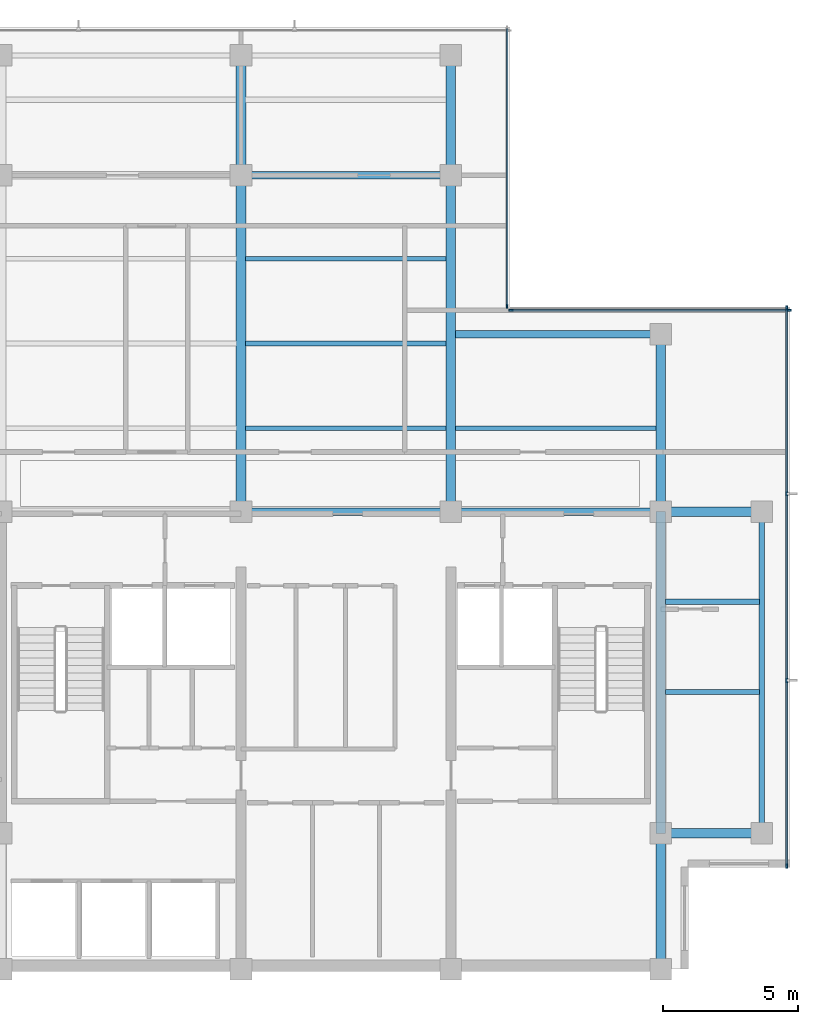
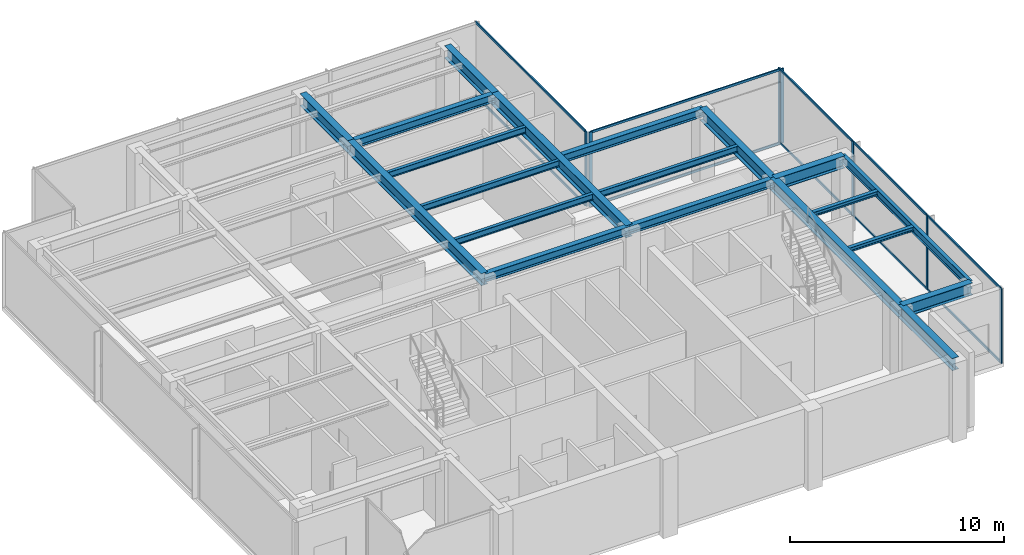
# One storey, part 3 of 11: 20 beams, 17 members, 3 elements without a shape of their own.
"""IFC4 building model written with IfcOpenShell, lengths in metres."""

import ifcopenshell
import ifcopenshell.guid

model = None  # the IFC model being written
_history = None  # IfcOwnerHistory: only IFC2X3 demands one
_inside = {}  # id of a spatial element -> (the spatial element, [elements in it])
_under = {}  # id of a project, library or spatial element -> (it, [spatial elements below it])
_declared = {}  # id of a project -> (the project, [libraries it declares])
_typed = {}  # id of a type object -> (the type object, [elements of that type])
_made_of = {}  # id of a material, layer set ... -> (it, [elements and type objects made of it])


def new_model(schema):
    """Start an empty IFC model of exactly this schema.

    Asked for "IFC4X3", IfcOpenShell would pick the latest addendum, in which some entities
    have other attributes; the version numbers below select the first issue.
    IFC2X3 requires an IfcOwnerHistory on every rooted entity: one is made here for all.
    """
    global model, _history
    if schema == "IFC4X3":
        model = ifcopenshell.file(schema_version=(4, 3, 0, 0))
    else:
        model = ifcopenshell.file(schema=schema)
    _inside.clear()
    _under.clear()
    _declared.clear()
    _typed.clear()
    _made_of.clear()
    _history = None
    if model.schema == "IFC2X3":
        org = make("IfcOrganization", Name="unknown")
        user = make(
            "IfcPersonAndOrganization",
            ThePerson=make("IfcPerson", FamilyName="unknown"),
            TheOrganization=org,
        )
        app = make(
            "IfcApplication",
            ApplicationDeveloper=org,
            Version="unknown",
            ApplicationFullName="unknown",
            ApplicationIdentifier="unknown",
        )
        _history = make(
            "IfcOwnerHistory",
            OwningUser=user,
            OwningApplication=app,
            ChangeAction="ADDED",
            CreationDate=0,
        )
    return model


def make(cls, **values):
    """One entity of the class cls with the attributes given. An attribute that is None is left unset."""
    return model.create_entity(
        cls, **{name: value for name, value in values.items() if value is not None}
    )


def rooted(cls, **values):
    """An entity with a GlobalId (a new one), such as an element, a storey or a relation."""
    return make(cls, GlobalId=ifcopenshell.guid.new(), OwnerHistory=_history, **values)


def si_unit(unit_type, name, prefix=None):
    """IfcSIUnit, for example si_unit("LENGTHUNIT", "METRE", prefix="MILLI")."""
    return make("IfcSIUnit", UnitType=unit_type, Prefix=prefix, Name=name)


def assignment(units):
    """IfcUnitAssignment: the units of a project."""
    return None if units is None else make("IfcUnitAssignment", Units=units)


def point(xyz):
    """IfcCartesianPoint."""
    return None if xyz is None else make("IfcCartesianPoint", Coordinates=xyz)


def direction(xyz):
    """IfcDirection."""
    return None if xyz is None else make("IfcDirection", DirectionRatios=xyz)


def frame(location, z_axis=None, x_axis=None):
    """IfcAxis2Placement3D, a coordinate frame: its origin and axes. An axis left out is left unset."""
    return make(
        "IfcAxis2Placement3D",
        Location=point(location),
        Axis=direction(z_axis),
        RefDirection=direction(x_axis),
    )


def frame_2d(location, x_axis=None):
    """IfcAxis2Placement2D, a coordinate frame in the plane: its origin and x axis."""
    return make(
        "IfcAxis2Placement2D", Location=point(location), RefDirection=direction(x_axis)
    )


def origin():
    """The frame at (0, 0, 0) with its axes left unset."""
    return frame((0.0, 0.0, 0.0))


def origin_2d():
    """The frame at (0, 0) in the plane with its x axis left unset."""
    return frame_2d((0.0, 0.0))


def place(relative_to, where):
    """IfcLocalPlacement: puts the frame where relative to a parent placement (None: the world)."""
    return make(
        "IfcLocalPlacement", PlacementRelTo=relative_to, RelativePlacement=where
    )


def context(
    kind, dimensions, precision=None, world=None, true_north=None, identifier=None
):
    """IfcGeometricRepresentationContext, for example the 3D "Model" context."""
    return make(
        "IfcGeometricRepresentationContext",
        ContextIdentifier=identifier,
        ContextType=kind,
        CoordinateSpaceDimension=dimensions,
        Precision=precision,
        WorldCoordinateSystem=world,
        TrueNorth=true_north,
    )


def subcontext(parent, identifier, kind, view, scale=None):
    """IfcGeometricRepresentationSubContext, for example "Body" below "Model"."""
    return make(
        "IfcGeometricRepresentationSubContext",
        ContextIdentifier=identifier,
        ContextType=kind,
        ParentContext=parent,
        TargetScale=scale,
        TargetView=view,
    )


def project(units=None, contexts=None):
    """IfcProject with its units and contexts."""
    return rooted(
        "IfcProject",
        Name="project",
        RepresentationContexts=contexts,
        UnitsInContext=assignment(units),
    )


def spatial(cls, under=None, at=None, **own):
    """A site, building, storey or space (cls), placed at a placement, below another one or the project."""
    s = rooted(cls, ObjectPlacement=at, **own)
    if under is not None:
        _under.setdefault(under.id(), (under, []))[1].append(s)
    return s


def profile(cls, at=None, kind="AREA", **sizes):
    """A parametric profile (cls). Its sizes go by their IFC names, for example OverallWidth=200.0."""
    return make(cls, ProfileType=kind, Position=at, **sizes)


def rectangle(**sizes):
    """IfcRectangleProfileDef."""
    return profile("IfcRectangleProfileDef", **sizes)


def i_section(**sizes):
    """IfcIShapeProfileDef."""
    return profile("IfcIShapeProfileDef", **sizes)


def extrude(swept, where, along, depth):
    """IfcExtrudedAreaSolid: the profile swept, set in the frame where, extruded along a direction by depth."""
    return make(
        "IfcExtrudedAreaSolid",
        SweptArea=swept,
        Position=where,
        ExtrudedDirection=direction(along),
        Depth=depth,
    )


def shape(context_of_items, identifier, shape_type, items):
    """IfcShapeRepresentation: the items that make up one representation, for example the "Body"."""
    return make(
        "IfcShapeRepresentation",
        ContextOfItems=context_of_items,
        RepresentationIdentifier=identifier,
        RepresentationType=shape_type,
        Items=items,
    )


def material(Name=None, Category=None):
    """IfcMaterial."""
    return make("IfcMaterial", Name=Name, Category=Category)


def layer(
    of_material, thickness, ventilated=None, Name=None, Category=None, Priority=None
):
    """IfcMaterialLayer: one layer of a wall or slab, of a material (None: an air gap)."""
    return make(
        "IfcMaterialLayer",
        Material=of_material,
        LayerThickness=thickness,
        IsVentilated=ventilated,
        Name=Name,
        Category=Category,
        Priority=Priority,
    )


def layer_set(layers, Name=None):
    """IfcMaterialLayerSet."""
    return make("IfcMaterialLayerSet", MaterialLayers=layers, LayerSetName=Name)


def material_profile(
    of_material, cross_section, Name=None, Category=None, Priority=None
):
    """IfcMaterialProfile: a cross section and its material."""
    return make(
        "IfcMaterialProfile",
        Name=Name,
        Material=of_material,
        Profile=cross_section,
        Priority=Priority,
        Category=Category,
    )


def profile_set(profiles, Name=None, composite=None):
    """IfcMaterialProfileSet."""
    return make(
        "IfcMaterialProfileSet",
        Name=Name,
        MaterialProfiles=profiles,
        CompositeProfile=composite,
    )


def made_of(thing, what):
    """Note that an element or type object is made of a material, layer set ...; save() writes the relation."""
    if what is not None:
        _made_of.setdefault(what.id(), (what, []))[1].append(thing)
    return thing


def type_object(cls, material=None, **own):
    """A type object (cls), such as IfcWallType, which elements share."""
    return made_of(rooted(cls, **own), material)


def element(
    cls,
    number,
    at=None,
    inside=None,
    cuts=None,
    type_object=None,
    material=None,
    context=None,
    identifier="Body",
    shape_type=None,
    held_by="IfcProductDefinitionShape",
    body=None,
    shapes=None,
    **own,
):
    """One element of the class cls, such as IfcWall. Its Tag is "e" and its number.

    at: its placement. inside: the storey or other place that contains it. cuts: it is an
    opening in that element (IfcRelVoidsElement). A single representation is given by context,
    identifier, shape_type and body (its items); several are given by shapes. held_by: the class
    of the entity that holds the representations. save() writes the other relations.
    """
    e = rooted(cls, Tag="e%d" % number, ObjectPlacement=at, **own)
    if body is not None:
        shapes = [shape(context, identifier, shape_type, body)]
    if shapes is not None:
        e.Representation = make(held_by, Representations=shapes)
    if inside is not None:
        _inside.setdefault(inside.id(), (inside, []))[1].append(e)
    if cuts is not None:
        rooted(
            "IfcRelVoidsElement", RelatingBuildingElement=cuts, RelatedOpeningElement=e
        )
    if type_object is not None:
        _typed.setdefault(type_object.id(), (type_object, []))[1].append(e)
    return made_of(e, material)


def aggregate(whole, parts):
    """IfcRelAggregates: a whole, such as a stair, and the parts it consists of."""
    return rooted("IfcRelAggregates", RelatingObject=whole, RelatedObjects=parts)


def save(model, path):
    """Write the relations noted so far, then the file.

    IfcRelAggregates (storeys below a building ...), IfcRelContainedInSpatialStructure (elements
    in a storey), IfcRelDefinesByType, IfcRelAssociatesMaterial and IfcRelDeclares: one each for
    every whole, place, type object, material and project.
    """
    for whole, parts in _under.values():
        aggregate(whole, parts)
    for where, things in _inside.values():
        rooted(
            "IfcRelContainedInSpatialStructure",
            RelatedElements=things,
            RelatingStructure=where,
        )
    for kind, things in _typed.values():
        rooted("IfcRelDefinesByType", RelatedObjects=things, RelatingType=kind)
    for what, things in _made_of.values():
        rooted("IfcRelAssociatesMaterial", RelatedObjects=things, RelatingMaterial=what)
    for by, libraries in _declared.values():
        rooted("IfcRelDeclares", RelatingContext=by, RelatedDefinitions=libraries)
    model.write(path)


model = new_model("IFC4")

# Units and contexts
model_context = context("Model", 3, precision=1e-05, world=origin(), true_north=direction((0.0, 1.0)))
body_context = subcontext(model_context, "Body", "Model", "MODEL_VIEW")
ifc_project = project(units=[si_unit("LENGTHUNIT", "METRE"), si_unit("AREAUNIT", "SQUARE_METRE"), si_unit("VOLUMEUNIT", "CUBIC_METRE"), si_unit("PLANEANGLEUNIT", "RADIAN"), si_unit("MASSUNIT", "GRAM", prefix="KILO")], contexts=[model_context])

# Site, building, storey
site_placement = place(None, origin())
site = spatial("IfcSite", under=ifc_project, at=site_placement, CompositionType="ELEMENT")
building_placement = place(site_placement, origin())
building = spatial("IfcBuilding", under=site, at=building_placement, Name="Qalmaran Belvedere Hotel", CompositionType="ELEMENT")
storey_placement = place(building_placement, frame((0.0, 0.0, 280.89990234375)))
storey = spatial("IfcBuildingStorey", under=building, at=storey_placement, Name="L73", CompositionType="ELEMENT", Elevation=280.89990234375)

# Beams
ifc_material_1 = material(Name="Steel S355JR", Category="steel")
ifc_material_profile_1 = material_profile(ifc_material_1, i_section(OverallWidth=0.201904296875, OverallDepth=0.2470703125, WebThickness=0.00732421875, FlangeThickness=0.010986328125, FilletRadius=0.011962890625, at=origin_2d()), Name="W250X49")
ifc_profile_set_1 = profile_set([ifc_material_profile_1], Name="Steel S355JR")
beam_type_1 = type_object("IfcBeamType", Name="BM-JST-W250X49", PredefinedType="JOIST", material=ifc_profile_set_1)
for number, where, z_axis, x_axis, name in (
    (1, (44.9755859375, 13.800048828125, 4.13671875), (1.0, 0.0, 0.0), (0.0, 1.0, 0.0), "L73 East Wing Joist 036"),
    (2, (44.9755859375, 17.14990234375, 4.13671875), (1.0, 0.0, 0.0), (0.0, 1.0, 0.0), "L73 East Wing Joist 038"),
):
    element("IfcBeam", number, at=place(storey_placement, frame(where, z_axis=z_axis, x_axis=x_axis)), inside=storey, type_object=beam_type_1, Name=name, PredefinedType="JOIST", context=body_context, shape_type="SweptSolid", body=[
        extrude(i_section(OverallWidth=0.201904296875, OverallDepth=0.2470703125, WebThickness=0.00732421875, FlangeThickness=0.010986328125, FilletRadius=0.011962890625, at=origin_2d()), origin(), (0.0, 0.0, 1.0), 3.48046875),
    ])
ifc_material_profile_2 = material_profile(ifc_material_1, i_section(OverallWidth=0.172119140625, OverallDepth=0.35791015625, WebThickness=0.0078125, FlangeThickness=0.01318359375, FilletRadius=0.014892578125, at=origin_2d()), Name="W360X57")
ifc_profile_set_2 = profile_set([ifc_material_profile_2], Name="Steel S355JR")
beam_type_2 = type_object("IfcBeamType", Name="BM-SB4-W360X57", PredefinedType="BEAM", material=ifc_profile_set_2)
for number, where, z_axis, x_axis, name in (
    (3, (29.37548828125, 23.60009765625, 4.0810546875), (1.0, 0.0, 0.0), (0.0, 1.0, 0.0), "L73 Secondary Floor Beam 026"),
    (4, (37.175537109375, 23.60009765625, 4.0810546875), (1.0, 0.0, 0.0), (0.0, 1.0, 0.0), "L73 Secondary Floor Beam 027"),
    (5, (29.37548828125, 26.75, 4.0810546875), (1.0, 0.0, 0.0), (0.0, 1.0, 0.0), "L73 Secondary Floor Beam 030"),
    (6, (29.37548828125, 29.89990234375, 4.0810546875), (1.0, 0.0, 0.0), (0.0, 1.0, 0.0), "L73 Secondary Floor Beam 034"),
):
    element("IfcBeam", number, at=place(storey_placement, frame(where, z_axis=z_axis, x_axis=x_axis)), inside=storey, type_object=beam_type_2, Name=name, PredefinedType="BEAM", context=body_context, shape_type="SweptSolid", body=[
        extrude(i_section(OverallWidth=0.172119140625, OverallDepth=0.35791015625, WebThickness=0.0078125, FlangeThickness=0.01318359375, FilletRadius=0.014892578125, at=origin_2d()), origin(), (0.0, 0.0, 1.0), 7.448974609375),
    ])
ifc_material_profile_3 = material_profile(ifc_material_1, i_section(OverallWidth=0.19189453125, OverallDepth=0.462890625, WebThickness=0.010498046875, FlangeThickness=0.017578125, FilletRadius=0.01611328125, at=origin_2d()), Name="W460X89")
ifc_profile_set_3 = profile_set([ifc_material_profile_3], Name="Steel S355JR")
beam_type_3 = type_object("IfcBeamType", Name="BM-SP2-W460X89", PredefinedType="SPANDREL", material=ifc_profile_set_3)
beam_1_placement = place(storey_placement, frame((48.550048828125, 8.550048828125, 4.028564453125), z_axis=(0.0, 1.0, 0.0), x_axis=(-1.0, 0.0, 0.0)))
element("IfcBeam", 7, at=beam_1_placement, inside=storey, type_object=beam_type_3, Name="L73 Perimeter Spandrel 03", PredefinedType="SPANDREL", context=body_context, shape_type="SweptSolid", body=[
    extrude(i_section(OverallWidth=0.19189453125, OverallDepth=0.462890625, WebThickness=0.010498046875, FlangeThickness=0.017578125, FilletRadius=0.01611328125, at=origin_2d()), origin(), (0.0, 0.0, 1.0), 11.949951171875),
])
ifc_material_profile_4 = material_profile(ifc_material_1, i_section(OverallWidth=0.35498046875, OverallDepth=0.695068359375, WebThickness=0.015380859375, FlangeThickness=0.02490234375, FilletRadius=0.02197265625, at=origin_2d()), Name="W690X217")
ifc_profile_set_4 = profile_set([ifc_material_profile_4], Name="Steel S355JR")
beam_type_4 = type_object("IfcBeamType", Name="BM-Z1-W690X217", PredefinedType="USERDEFINED", material=ifc_profile_set_4)
beam_2_placement = place(storey_placement, frame((29.199951171875, 20.5, 3.91259765625), z_axis=(0.0, 1.0, 0.0), x_axis=(-1.0, 0.0, 0.0)))
element("IfcBeam", 8, at=beam_2_placement, inside=storey, type_object=beam_type_4, Name="L73 Mid-Plate N-S Girder 13", ObjectType="GIRDER", PredefinedType="USERDEFINED", context=body_context, shape_type="SweptSolid", body=[
    extrude(i_section(OverallWidth=0.35498046875, OverallDepth=0.695068359375, WebThickness=0.015380859375, FlangeThickness=0.02490234375, FilletRadius=0.02197265625, at=origin_2d()), origin(), (0.0, 0.0, 1.0), 12.5),
])
beam_3_placement = place(storey_placement, frame((29.199951171875, 33.0, 3.91259765625), z_axis=(0.0, 1.0, 0.0), x_axis=(-1.0, 0.0, 0.0)))
element("IfcBeam", 9, at=beam_3_placement, inside=storey, type_object=beam_type_4, Name="L73 North Bay Girder 14", ObjectType="GIRDER", PredefinedType="USERDEFINED", context=body_context, shape_type="SweptSolid", body=[
    extrude(i_section(OverallWidth=0.35498046875, OverallDepth=0.695068359375, WebThickness=0.015380859375, FlangeThickness=0.02490234375, FilletRadius=0.02197265625, at=origin_2d()), origin(), (0.0, 0.0, 1.0), 4.449951171875),
])
beam_4_placement = place(storey_placement, frame((37.0, 20.5, 3.91259765625), z_axis=(0.0, 1.0, 0.0), x_axis=(-1.0, 0.0, 0.0)))
element("IfcBeam", 10, at=beam_4_placement, inside=storey, type_object=beam_type_4, Name="L73 Mid-Plate N-S Girder 15", ObjectType="GIRDER", PredefinedType="USERDEFINED", context=body_context, shape_type="SweptSolid", body=[
    extrude(i_section(OverallWidth=0.35498046875, OverallDepth=0.695068359375, WebThickness=0.015380859375, FlangeThickness=0.02490234375, FilletRadius=0.02197265625, at=origin_2d()), origin(), (0.0, 0.0, 1.0), 12.5),
])
beam_5_placement = place(storey_placement, frame((37.0, 33.0, 3.91259765625), z_axis=(0.0, 1.0, 0.0), x_axis=(-1.0, 0.0, 0.0)))
element("IfcBeam", 11, at=beam_5_placement, inside=storey, type_object=beam_type_4, Name="L73 North Bay Girder 16", ObjectType="GIRDER", PredefinedType="USERDEFINED", context=body_context, shape_type="SweptSolid", body=[
    extrude(i_section(OverallWidth=0.35498046875, OverallDepth=0.695068359375, WebThickness=0.015380859375, FlangeThickness=0.02490234375, FilletRadius=0.02197265625, at=origin_2d()), origin(), (0.0, 0.0, 1.0), 4.449951171875),
])
beam_6_placement = place(storey_placement, frame((44.800048828125, 20.5, 3.91259765625), z_axis=(0.0, 1.0, 0.0), x_axis=(-1.0, 0.0, 0.0)))
element("IfcBeam", 12, at=beam_6_placement, inside=storey, type_object=beam_type_4, Name="L73 Mid-Plate N-S Girder 17", ObjectType="GIRDER", PredefinedType="USERDEFINED", context=body_context, shape_type="SweptSolid", body=[
    extrude(i_section(OverallWidth=0.35498046875, OverallDepth=0.695068359375, WebThickness=0.015380859375, FlangeThickness=0.02490234375, FilletRadius=0.02197265625, at=origin_2d()), origin(), (0.0, 0.0, 1.0), 6.60009765625),
])
beam_7_placement = place(storey_placement, frame((44.800048828125, 3.5, 3.91259765625), z_axis=(0.0, 1.0, 0.0), x_axis=(-1.0, 0.0, 0.0)))
element("IfcBeam", 13, at=beam_7_placement, inside=storey, type_object=beam_type_4, Name="L73 East Core Edge Girder A", ObjectType="GIRDER", PredefinedType="USERDEFINED", context=body_context, shape_type="SweptSolid", body=[
    extrude(i_section(OverallWidth=0.35498046875, OverallDepth=0.695068359375, WebThickness=0.015380859375, FlangeThickness=0.02490234375, FilletRadius=0.02197265625, at=origin_2d()), origin(), (0.0, 0.0, 1.0), 5.050048828125),
])
beam_8_placement = place(storey_placement, frame((44.800048828125, 8.550048828125, 3.91259765625), z_axis=(0.0, 1.0, 0.0), x_axis=(-1.0, 0.0, 0.0)))
element("IfcBeam", 14, at=beam_8_placement, inside=storey, type_object=beam_type_4, Name="L73 East Core Edge Girder B", ObjectType="GIRDER", PredefinedType="USERDEFINED", context=body_context, shape_type="SweptSolid", body=[
    extrude(i_section(OverallWidth=0.35498046875, OverallDepth=0.695068359375, WebThickness=0.015380859375, FlangeThickness=0.02490234375, FilletRadius=0.02197265625, at=origin_2d()), origin(), (0.0, 0.0, 1.0), 11.949951171875),
])
for number, where, z_axis, x_axis, name in (
    (15, (44.800048828125, 8.550048828125, 3.91259765625), (1.0, 0.0, 0.0), (0.0, 1.0, 0.0), "L73 East Wing Girder 22"),
    (16, (44.800048828125, 20.5, 3.91259765625), (1.0, 0.0, 0.0), (0.0, 1.0, 0.0), "L73 East Wing Girder 23"),
):
    element("IfcBeam", number, at=place(storey_placement, frame(where, z_axis=z_axis, x_axis=x_axis)), inside=storey, type_object=beam_type_4, Name=name, ObjectType="GIRDER", PredefinedType="USERDEFINED", context=body_context, shape_type="SweptSolid", body=[
        extrude(i_section(OverallWidth=0.35498046875, OverallDepth=0.695068359375, WebThickness=0.015380859375, FlangeThickness=0.02490234375, FilletRadius=0.02197265625, at=origin_2d()), origin(), (0.0, 0.0, 1.0), 3.75),
    ])
ifc_material_profile_5 = material_profile(ifc_material_1, i_section(OverallWidth=0.280029296875, OverallDepth=0.462890625, WebThickness=0.0107421875, FlangeThickness=0.017333984375, FilletRadius=0.01611328125, at=origin_2d()), Name="W460X113")
ifc_profile_set_5 = profile_set([ifc_material_profile_5], Name="Steel S355JR")
beam_type_5 = type_object("IfcBeamType", Name="BM-Z5-W460X113", PredefinedType="USERDEFINED", material=ifc_profile_set_5)
for number, where, z_axis, x_axis, name in (
    (17, (29.199951171875, 20.5, 4.028564453125), (1.0, 0.0, 0.0), (0.0, 1.0, 0.0), "L73 Interior E-W Girder 07"),
    (18, (37.0, 20.5, 4.028564453125), (1.0, 0.0, 0.0), (0.0, 1.0, 0.0), "L73 Interior E-W Girder 08"),
    (19, (29.199951171875, 33.0, 4.028564453125), (1.0, 0.0, 0.0), (0.0, 1.0, 0.0), "L73 Interior E-W Girder 10"),
):
    element("IfcBeam", number, at=place(storey_placement, frame(where, z_axis=z_axis, x_axis=x_axis)), inside=storey, type_object=beam_type_5, Name=name, ObjectType="GIRDER", PredefinedType="USERDEFINED", context=body_context, shape_type="SweptSolid", body=[
        extrude(i_section(OverallWidth=0.280029296875, OverallDepth=0.462890625, WebThickness=0.0107421875, FlangeThickness=0.017333984375, FilletRadius=0.01611328125, at=origin_2d()), origin(), (0.0, 0.0, 1.0), 7.800048828125),
    ])
beam_9_placement = place(storey_placement, frame((37.175537109375, 27.10009765625, 4.028564453125), z_axis=(1.0, 0.0, 0.0), x_axis=(0.0, 1.0, 0.0)))
element("IfcBeam", 20, at=beam_9_placement, inside=storey, type_object=beam_type_5, Name="L73 North-East Notch Rim Girder", ObjectType="GIRDER", PredefinedType="USERDEFINED", context=body_context, shape_type="SweptSolid", body=[
    extrude(i_section(OverallWidth=0.280029296875, OverallDepth=0.462890625, WebThickness=0.0107421875, FlangeThickness=0.017333984375, FilletRadius=0.01611328125, at=origin_2d()), origin(), (0.0, 0.0, 1.0), 7.62451171875),
])

# Curtain wall, members
ifc_material_2 = material(Name="Anodised Bronze Aluminium", Category="aluminium")
ifc_layer = layer(ifc_material_2, 0.18505859375, Name="Anodised Bronze Aluminium")
ifc_layer_set = layer_set([ifc_layer], Name="Anodised Bronze Aluminium")
curtain_wall_type = type_object("IfcCurtainWallType", Name="CW6-TOWER-SKY", PredefinedType="NOTDEFINED", material=ifc_layer_set)
curtain_wall_1_placement = place(storey_placement, origin())
curtain_wall_1 = element("IfcCurtainWall", 21, at=curtain_wall_1_placement, inside=storey, type_object=curtain_wall_type, Name="L73 Curtain Wall CW6", PredefinedType="NOTDEFINED")
ifc_material_profile_6 = material_profile(ifc_material_2, rectangle(XDim=0.06494140625, YDim=0.1650390625, at=origin_2d()), Name="CWM65X165")
ifc_profile_set_6 = profile_set([ifc_material_profile_6], Name="Anodised Bronze Aluminium")
member_type_1 = type_object("IfcMemberType", Name="CWM-65X165", PredefinedType="MULLION", material=ifc_profile_set_6)
member_1_placement = place(storey_placement, frame((49.47998046875, 7.33251953125, 0.0), z_axis=(0.0, 0.0, 1.0), x_axis=(-1.0, 0.0, 0.0)))
member_1 = element("IfcMember", 22, at=member_1_placement, type_object=member_type_1, Name="CW6 mullion 1", PredefinedType="MULLION", context=body_context, shape_type="SweptSolid", body=[
    extrude(rectangle(XDim=0.06494140625, YDim=0.1650390625, at=origin_2d()), origin(), (0.0, 0.0, 1.0), 4.260009765625),
])
member_2_placement = place(storey_placement, frame((49.47998046875, 14.2333984375, 0.0), z_axis=(0.0, 0.0, 1.0), x_axis=(-1.0, 0.0, 0.0)))
member_2 = element("IfcMember", 23, at=member_2_placement, type_object=member_type_1, Name="CW6 mullion 2", PredefinedType="MULLION", context=body_context, shape_type="SweptSolid", body=[
    extrude(rectangle(XDim=0.06494140625, YDim=0.1650390625, at=origin_2d()), origin(), (0.0, 0.0, 1.0), 4.260009765625),
])
member_3_placement = place(storey_placement, frame((49.47998046875, 21.166748046875, 0.0), z_axis=(0.0, 0.0, 1.0), x_axis=(-1.0, 0.0, 0.0)))
member_3 = element("IfcMember", 24, at=member_3_placement, type_object=member_type_1, Name="CW6 mullion 3", PredefinedType="MULLION", context=body_context, shape_type="SweptSolid", body=[
    extrude(rectangle(XDim=0.06494140625, YDim=0.1650390625, at=origin_2d()), origin(), (0.0, 0.0, 1.0), 4.260009765625),
])
member_4_placement = place(storey_placement, frame((49.47998046875, 28.0673828125, 0.0), z_axis=(0.0, 0.0, 1.0), x_axis=(-1.0, 0.0, 0.0)))
member_4 = element("IfcMember", 25, at=member_4_placement, type_object=member_type_1, Name="CW6 mullion 4", PredefinedType="MULLION", context=body_context, shape_type="SweptSolid", body=[
    extrude(rectangle(XDim=0.06494140625, YDim=0.1650390625, at=origin_2d()), origin(), (0.0, 0.0, 1.0), 4.260009765625),
])

curtain_wall_2_placement = place(storey_placement, origin())
curtain_wall_2 = element("IfcCurtainWall", 26, at=curtain_wall_2_placement, inside=storey, type_object=curtain_wall_type, Name="L73 Curtain Wall CW6", PredefinedType="NOTDEFINED")
member_5_placement = place(storey_placement, frame((49.5673828125, 27.97998046875, 0.0), z_axis=(0.0, 0.0, 1.0), x_axis=(0.0, -1.0, 0.0)))
member_5 = element("IfcMember", 27, at=member_5_placement, type_object=member_type_1, Name="CW6 mullion 1", PredefinedType="MULLION", context=body_context, shape_type="SweptSolid", body=[
    extrude(rectangle(XDim=0.06494140625, YDim=0.1650390625, at=origin_2d()), origin(), (0.0, 0.0, 1.0), 4.260009765625),
])
member_6_placement = place(storey_placement, frame((39.232421875, 27.97998046875, 0.0), z_axis=(0.0, 0.0, 1.0), x_axis=(0.0, -1.0, 0.0)))
member_6 = element("IfcMember", 28, at=member_6_placement, type_object=member_type_1, Name="CW6 mullion 2", PredefinedType="MULLION", context=body_context, shape_type="SweptSolid", body=[
    extrude(rectangle(XDim=0.06494140625, YDim=0.1650390625, at=origin_2d()), origin(), (0.0, 0.0, 1.0), 4.260009765625),
])

# Curtain wall, member
curtain_wall_3_placement = place(storey_placement, origin())
curtain_wall_3 = element("IfcCurtainWall", 29, at=curtain_wall_3_placement, inside=storey, type_object=curtain_wall_type, Name="L73 Curtain Wall CW6", PredefinedType="NOTDEFINED")
member_7_placement = place(storey_placement, frame((39.080078125, 28.132568359375, 0.0), z_axis=(0.0, 0.0, 1.0), x_axis=(-1.0, 0.0, 0.0)))
member_7 = element("IfcMember", 30, at=member_7_placement, type_object=member_type_1, Name="CW6 mullion 1", PredefinedType="MULLION", context=body_context, shape_type="SweptSolid", body=[
    extrude(rectangle(XDim=0.06494140625, YDim=0.1650390625, at=origin_2d()), origin(), (0.0, 0.0, 1.0), 4.260009765625),
])

# Member
ifc_material_profile_7 = material_profile(ifc_material_2, rectangle(XDim=0.06494140625, YDim=0.1298828125, at=origin_2d()), Name="CWT65X130")
ifc_profile_set_7 = profile_set([ifc_material_profile_7], Name="Anodised Bronze Aluminium")
member_type_2 = type_object("IfcMemberType", Name="CWT-65X130", PredefinedType="USERDEFINED", material=ifc_profile_set_7)
member_8_placement = place(storey_placement, frame((49.47998046875, 7.364990234375, 0.03271484375), z_axis=(0.0, 1.0, 0.0), x_axis=(-1.0, 0.0, 0.0)))
member_8 = element("IfcMember", 31, at=member_8_placement, type_object=member_type_2, Name="CW6 transom 1.1", ObjectType="TRANSOM", PredefinedType="USERDEFINED", context=body_context, shape_type="SweptSolid", body=[
    extrude(rectangle(XDim=0.06494140625, YDim=0.1298828125, at=origin_2d()), origin(), (0.0, 0.0, 1.0), 6.8359375),
])

member_9_placement = place(storey_placement, frame((49.47998046875, 7.364990234375, 4.2275390625), z_axis=(0.0, 1.0, 0.0), x_axis=(-1.0, 0.0, 0.0)))
member_9 = element("IfcMember", 32, at=member_9_placement, type_object=member_type_2, Name="CW6 transom 1.2", ObjectType="TRANSOM", PredefinedType="USERDEFINED", context=body_context, shape_type="SweptSolid", body=[
    extrude(rectangle(XDim=0.06494140625, YDim=0.1298828125, at=origin_2d()), origin(), (0.0, 0.0, 1.0), 6.8359375),
])

member_10_placement = place(storey_placement, frame((49.47998046875, 14.265869140625, 0.03271484375), z_axis=(0.0, 1.0, 0.0), x_axis=(-1.0, 0.0, 0.0)))
member_10 = element("IfcMember", 33, at=member_10_placement, type_object=member_type_2, Name="CW6 transom 2.1", ObjectType="TRANSOM", PredefinedType="USERDEFINED", context=body_context, shape_type="SweptSolid", body=[
    extrude(rectangle(XDim=0.06494140625, YDim=0.1298828125, at=origin_2d()), origin(), (0.0, 0.0, 1.0), 6.868408203125),
])

member_11_placement = place(storey_placement, frame((49.47998046875, 14.265869140625, 4.2275390625), z_axis=(0.0, 1.0, 0.0), x_axis=(-1.0, 0.0, 0.0)))
member_11 = element("IfcMember", 34, at=member_11_placement, type_object=member_type_2, Name="CW6 transom 2.2", ObjectType="TRANSOM", PredefinedType="USERDEFINED", context=body_context, shape_type="SweptSolid", body=[
    extrude(rectangle(XDim=0.06494140625, YDim=0.1298828125, at=origin_2d()), origin(), (0.0, 0.0, 1.0), 6.868408203125),
])

member_12_placement = place(storey_placement, frame((49.47998046875, 21.19921875, 0.03271484375), z_axis=(0.0, 1.0, 0.0), x_axis=(-1.0, 0.0, 0.0)))
member_12 = element("IfcMember", 35, at=member_12_placement, type_object=member_type_2, Name="CW6 transom 3.1", ObjectType="TRANSOM", PredefinedType="USERDEFINED", context=body_context, shape_type="SweptSolid", body=[
    extrude(rectangle(XDim=0.06494140625, YDim=0.1298828125, at=origin_2d()), origin(), (0.0, 0.0, 1.0), 6.835693359375),
])

member_13_placement = place(storey_placement, frame((49.47998046875, 21.19921875, 4.2275390625), z_axis=(0.0, 1.0, 0.0), x_axis=(-1.0, 0.0, 0.0)))
member_13 = element("IfcMember", 36, at=member_13_placement, type_object=member_type_2, Name="CW6 transom 3.2", ObjectType="TRANSOM", PredefinedType="USERDEFINED", context=body_context, shape_type="SweptSolid", body=[
    extrude(rectangle(XDim=0.06494140625, YDim=0.1298828125, at=origin_2d()), origin(), (0.0, 0.0, 1.0), 6.835693359375),
])

aggregate(curtain_wall_1, [member_1, member_2, member_3, member_4, member_8, member_9, member_10, member_11, member_12, member_13])

member_14_placement = place(storey_placement, frame((49.534912109375, 27.97998046875, 0.03271484375), z_axis=(-1.0, 0.0, 0.0), x_axis=(0.0, -1.0, 0.0)))
member_14 = element("IfcMember", 37, at=member_14_placement, type_object=member_type_2, Name="CW6 transom 1.1", ObjectType="TRANSOM", PredefinedType="USERDEFINED", context=body_context, shape_type="SweptSolid", body=[
    extrude(rectangle(XDim=0.06494140625, YDim=0.1298828125, at=origin_2d()), origin(), (0.0, 0.0, 1.0), 10.27001953125),
])

member_15_placement = place(storey_placement, frame((49.534912109375, 27.97998046875, 4.2275390625), z_axis=(-1.0, 0.0, 0.0), x_axis=(0.0, -1.0, 0.0)))
member_15 = element("IfcMember", 38, at=member_15_placement, type_object=member_type_2, Name="CW6 transom 1.2", ObjectType="TRANSOM", PredefinedType="USERDEFINED", context=body_context, shape_type="SweptSolid", body=[
    extrude(rectangle(XDim=0.06494140625, YDim=0.1298828125, at=origin_2d()), origin(), (0.0, 0.0, 1.0), 10.27001953125),
])

aggregate(curtain_wall_2, [member_5, member_6, member_14, member_15])

member_16_placement = place(storey_placement, frame((39.080078125, 28.1650390625, 0.03271484375), z_axis=(0.0, 1.0, 0.0), x_axis=(-1.0, 0.0, 0.0)))
member_16 = element("IfcMember", 39, at=member_16_placement, type_object=member_type_2, Name="CW6 transom 1.1", ObjectType="TRANSOM", PredefinedType="USERDEFINED", context=body_context, shape_type="SweptSolid", body=[
    extrude(rectangle(XDim=0.06494140625, YDim=0.1298828125, at=origin_2d()), origin(), (0.0, 0.0, 1.0), 10.27001953125),
])

member_17_placement = place(storey_placement, frame((39.080078125, 28.1650390625, 4.2275390625), z_axis=(0.0, 1.0, 0.0), x_axis=(-1.0, 0.0, 0.0)))
member_17 = element("IfcMember", 40, at=member_17_placement, type_object=member_type_2, Name="CW6 transom 1.2", ObjectType="TRANSOM", PredefinedType="USERDEFINED", context=body_context, shape_type="SweptSolid", body=[
    extrude(rectangle(XDim=0.06494140625, YDim=0.1298828125, at=origin_2d()), origin(), (0.0, 0.0, 1.0), 10.27001953125),
])

aggregate(curtain_wall_3, [member_7, member_16, member_17])

save(model, "model.ifc")
